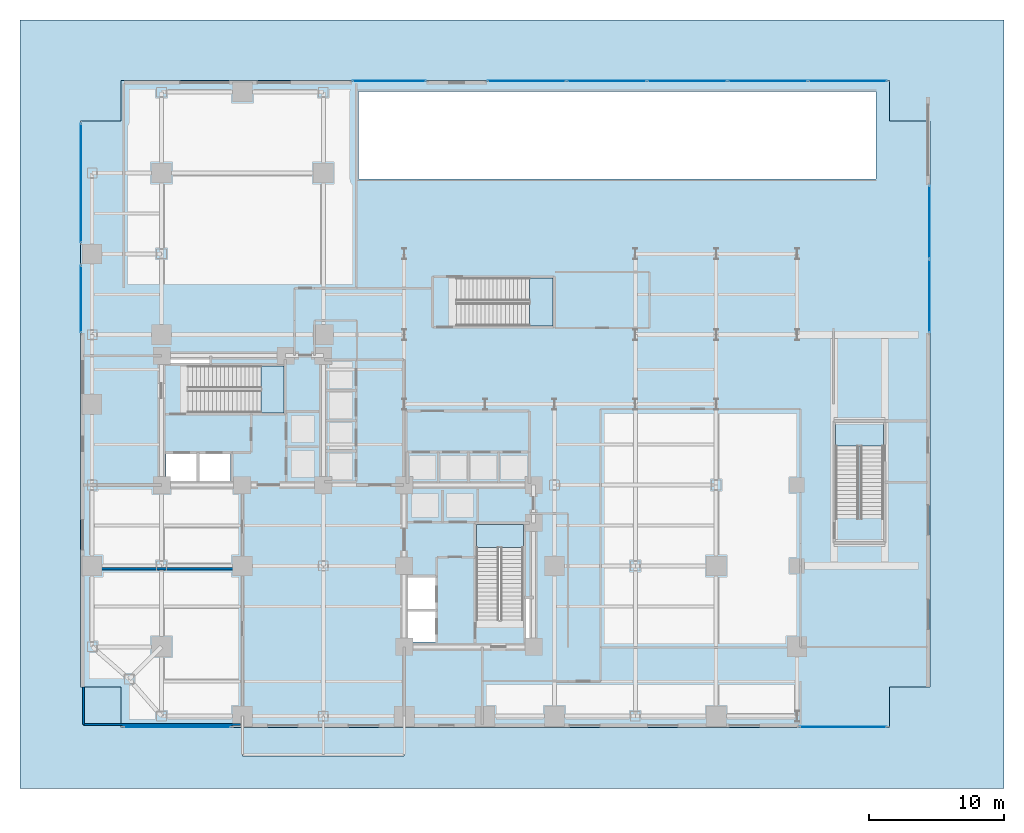
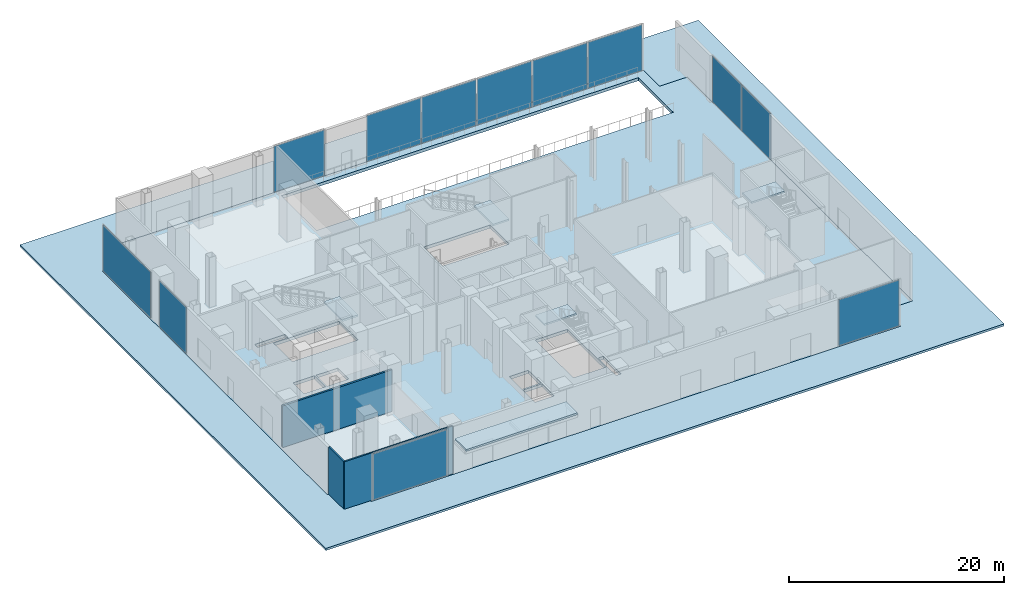
# One storey, part 17 of 27: 12 plates, 7 slabs, 3 walls, 11 elements without a shape of their own.
"""IFC4 building model written with IfcOpenShell, lengths in metres."""

from ifc_helpers import new_model, si_unit, direction, frame, frame_2d, origin, origin_2d, place, context, subcontext, project, spatial, polyline, rectangle, outline, extrude, material, layer, layer_set, type_object, element, aggregate, save


model = new_model("IFC4")

# Units and contexts
model_context = context("Model", 3, precision=1e-05, world=origin(), true_north=direction((0.0, 1.0)))
body_context = subcontext(model_context, "Body", "Model", "MODEL_VIEW")
ifc_project = project(units=[si_unit("LENGTHUNIT", "METRE"), si_unit("AREAUNIT", "SQUARE_METRE"), si_unit("VOLUMEUNIT", "CUBIC_METRE"), si_unit("PLANEANGLEUNIT", "RADIAN"), si_unit("MASSUNIT", "GRAM", prefix="KILO"), si_unit("THERMODYNAMICTEMPERATUREUNIT", "KELVIN"), si_unit("POWERUNIT", "WATT")], contexts=[model_context])

# Site, building, storey
site_placement = place(None, origin())
site = spatial("IfcSite", under=ifc_project, at=site_placement, CompositionType="ELEMENT")
building_placement = place(site_placement, origin())
building = spatial("IfcBuilding", under=site, at=building_placement, Name="Svarakhadi Broadcast Tower", CompositionType="ELEMENT")
storey_placement = place(building_placement, origin())
storey = spatial("IfcBuildingStorey", under=building, at=storey_placement, Name="L00", CompositionType="ELEMENT", Elevation=0.0)

# Curtain wall, plate
ifc_material_1 = material(Name="Anodised Bronze Aluminium AA 6063-T6", Category="aluminium")
ifc_layer_1 = layer(ifc_material_1, 0.25)
ifc_layer_set_1 = layer_set([ifc_layer_1], Name="Anodised Bronze Aluminium AA 6063-T6")
curtain_wall_type = type_object("IfcCurtainWallType", Name="CW_Sys_01", PredefinedType="NOTDEFINED", material=ifc_layer_set_1)
curtain_wall_1_placement = place(storey_placement, origin())
curtain_wall_1 = element("IfcCurtainWall", 1, at=curtain_wall_1_placement, inside=storey, type_object=curtain_wall_type, Name="L00 Podium Glazed Curtain Wall 01", PredefinedType="NOTDEFINED")
ifc_material_2 = material(Name="Double Low-E Laminated Acoustic Glass IGU 36 mm", Category="glass")
ifc_layer_2 = layer(ifc_material_2, 0.0380859375)
ifc_layer_set_2 = layer_set([ifc_layer_2], Name="Double Low-E Laminated Acoustic Glass IGU 36 mm")
plate_type = type_object("IfcPlateType", Name="CW_Sys_01_Pnl", PredefinedType="CURTAIN_PANEL", material=ifc_layer_set_2)
plate_1_placement = place(storey_placement, frame((7.159912109375, 0.0400390625, 0.0849609375), z_axis=(0.0, 0.0, 1.0), x_axis=(-1.0, 0.0, 0.0)))
plate_1 = element("IfcPlate", 2, at=plate_1_placement, type_object=plate_type, Name="CW-01 panel 1.1", PredefinedType="CURTAIN_PANEL", context=body_context, shape_type="SweptSolid", body=[
    extrude(rectangle(XDim=7.949951171875, YDim=0.0380859375, at=origin_2d()), origin(), (0.0, 0.0, 1.0), 5.22998046875),
])
aggregate(curtain_wall_1, [plate_1])

curtain_wall_2_placement = place(storey_placement, origin())
curtain_wall_2 = element("IfcCurtainWall", 3, at=curtain_wall_2_placement, inside=storey, type_object=curtain_wall_type, Name="L00 Podium Glazed Curtain Wall 02", PredefinedType="NOTDEFINED")
plate_2_placement = place(storey_placement, frame((56.574951171875, 0.0400390625, 0.0849609375), z_axis=(0.0, 0.0, 1.0), x_axis=(-1.0, 0.0, 0.0)))
plate_2 = element("IfcPlate", 4, at=plate_2_placement, type_object=plate_type, Name="CW-01 panel 1.1", PredefinedType="CURTAIN_PANEL", context=body_context, shape_type="SweptSolid", body=[
    extrude(rectangle(XDim=6.47998046875, YDim=0.0380859375, at=origin_2d()), origin(), (0.0, 0.0, 1.0), 5.22998046875),
])
aggregate(curtain_wall_2, [plate_2])

# Curtain wall, plates
curtain_wall_3_placement = place(storey_placement, origin())
curtain_wall_3 = element("IfcCurtainWall", 5, at=curtain_wall_3_placement, inside=storey, type_object=curtain_wall_type, Name="L00 Podium Glazed Curtain Wall 03", PredefinedType="NOTDEFINED")
plate_3_placement = place(storey_placement, frame((62.9599609375, 37.518798828125, 0.0849609375), z_axis=(0.0, 0.0, 1.0), x_axis=(0.0, -1.0, 0.0)))
plate_3 = element("IfcPlate", 6, at=plate_3_placement, type_object=plate_type, Name="CW-01 panel 1.1", PredefinedType="CURTAIN_PANEL", context=body_context, shape_type="SweptSolid", body=[
    extrude(rectangle(XDim=5.392578125, YDim=0.0380859375, at=origin_2d()), origin(), (0.0, 0.0, 1.0), 5.22998046875),
])
plate_4_placement = place(storey_placement, frame((62.9599609375, 32.03125, 0.0849609375), z_axis=(0.0, 0.0, 1.0), x_axis=(0.0, -1.0, 0.0)))
plate_4 = element("IfcPlate", 7, at=plate_4_placement, type_object=plate_type, Name="CW-01 panel 2.1", PredefinedType="CURTAIN_PANEL", context=body_context, shape_type="SweptSolid", body=[
    extrude(rectangle(XDim=5.392578125, YDim=0.0380859375, at=origin_2d()), origin(), (0.0, 0.0, 1.0), 5.22998046875),
])
aggregate(curtain_wall_3, [plate_3, plate_4])

# Curtain wall, plate
curtain_wall_4_placement = place(storey_placement, origin())
curtain_wall_4 = element("IfcCurtainWall", 8, at=curtain_wall_4_placement, inside=storey, type_object=curtain_wall_type, Name="L00 Podium Glazed Curtain Wall 04", PredefinedType="NOTDEFINED")
plate_5_placement = place(storey_placement, frame((22.89990234375, 47.9599609375, 0.0849609375), z_axis=(0.0, 0.0, 1.0), x_axis=(1.0, 0.0, 0.0)))
plate_5 = element("IfcPlate", 9, at=plate_5_placement, type_object=plate_type, Name="CW-01 panel 1.1", PredefinedType="CURTAIN_PANEL", context=body_context, shape_type="SweptSolid", body=[
    extrude(rectangle(XDim=5.429931640625, YDim=0.0380859375, at=origin_2d()), origin(), (0.0, 0.0, 1.0), 5.22998046875),
])
aggregate(curtain_wall_4, [plate_5])

# Curtain wall, plates
curtain_wall_5_placement = place(storey_placement, origin())
curtain_wall_5 = element("IfcCurtainWall", 10, at=curtain_wall_5_placement, inside=storey, type_object=curtain_wall_type, Name="L00 Podium Glazed Curtain Wall 05", PredefinedType="NOTDEFINED")
plate_6_placement = place(storey_placement, frame((33.095703125, 47.9599609375, 0.0849609375), z_axis=(0.0, 0.0, 1.0), x_axis=(1.0, 0.0, 0.0)))
plate_6 = element("IfcPlate", 11, at=plate_6_placement, type_object=plate_type, Name="CW-01 panel 1.1", PredefinedType="CURTAIN_PANEL", context=body_context, shape_type="SweptSolid", body=[
    extrude(rectangle(XDim=5.821533203125, YDim=0.0380859375, at=origin_2d()), origin(), (0.0, 0.0, 1.0), 5.22998046875),
])
plate_7_placement = place(storey_placement, frame((39.035888671875, 47.9599609375, 0.0849609375), z_axis=(0.0, 0.0, 1.0), x_axis=(1.0, 0.0, 0.0)))
plate_7 = element("IfcPlate", 12, at=plate_7_placement, type_object=plate_type, Name="CW-01 panel 2.1", PredefinedType="CURTAIN_PANEL", context=body_context, shape_type="SweptSolid", body=[
    extrude(rectangle(XDim=5.868896484375, YDim=0.0380859375, at=origin_2d()), origin(), (0.0, 0.0, 1.0), 5.22998046875),
])
plate_8_placement = place(storey_placement, frame((45.0, 47.9599609375, 0.0849609375), z_axis=(0.0, 0.0, 1.0), x_axis=(1.0, 0.0, 0.0)))
plate_8 = element("IfcPlate", 13, at=plate_8_placement, type_object=plate_type, Name="CW-01 panel 3.1", PredefinedType="CURTAIN_PANEL", context=body_context, shape_type="SweptSolid", body=[
    extrude(rectangle(XDim=5.868896484375, YDim=0.0380859375, at=origin_2d()), origin(), (0.0, 0.0, 1.0), 5.22998046875),
])
plate_9_placement = place(storey_placement, frame((50.964111328125, 47.9599609375, 0.0849609375), z_axis=(0.0, 0.0, 1.0), x_axis=(1.0, 0.0, 0.0)))
plate_9 = element("IfcPlate", 14, at=plate_9_placement, type_object=plate_type, Name="CW-01 panel 4.1", PredefinedType="CURTAIN_PANEL", context=body_context, shape_type="SweptSolid", body=[
    extrude(rectangle(XDim=5.868896484375, YDim=0.0380859375, at=origin_2d()), origin(), (0.0, 0.0, 1.0), 5.22998046875),
])
plate_10_placement = place(storey_placement, frame((56.904296875, 47.9599609375, 0.0849609375), z_axis=(0.0, 0.0, 1.0), x_axis=(1.0, 0.0, 0.0)))
plate_10 = element("IfcPlate", 15, at=plate_10_placement, type_object=plate_type, Name="CW-01 panel 5.1", PredefinedType="CURTAIN_PANEL", context=body_context, shape_type="SweptSolid", body=[
    extrude(rectangle(XDim=5.821533203125, YDim=0.0380859375, at=origin_2d()), origin(), (0.0, 0.0, 1.0), 5.22998046875),
])
aggregate(curtain_wall_5, [plate_6, plate_7, plate_8, plate_9, plate_10])

# Curtain wall, plate
curtain_wall_6_placement = place(storey_placement, origin())
curtain_wall_6 = element("IfcCurtainWall", 16, at=curtain_wall_6_placement, inside=storey, type_object=curtain_wall_type, Name="L00 Podium Glazed Curtain Wall 06 Bay 1", PredefinedType="NOTDEFINED")
plate_11_placement = place(storey_placement, frame((0.0400390625, 31.81005859375, 0.0849609375), z_axis=(0.0, 0.0, 1.0), x_axis=(0.0, 1.0, 0.0)))
plate_11 = element("IfcPlate", 17, at=plate_11_placement, type_object=plate_type, Name="CW-01 panel 1.1", PredefinedType="CURTAIN_PANEL", context=body_context, shape_type="SweptSolid", body=[
    extrude(rectangle(XDim=4.949951171875, YDim=0.0380859375, at=origin_2d()), origin(), (0.0, 0.0, 1.0), 5.22998046875),
])
aggregate(curtain_wall_6, [plate_11])

curtain_wall_7_placement = place(storey_placement, origin())
curtain_wall_7 = element("IfcCurtainWall", 18, at=curtain_wall_7_placement, inside=storey, type_object=curtain_wall_type, Name="L00 Podium Glazed Curtain Wall 06 Bay 2", PredefinedType="NOTDEFINED")
plate_12_placement = place(storey_placement, frame((0.0400390625, 40.4150390625, 0.0849609375), z_axis=(0.0, 0.0, 1.0), x_axis=(0.0, 1.0, 0.0)))
plate_12 = element("IfcPlate", 19, at=plate_12_placement, type_object=plate_type, Name="CW-01 panel 1.1", PredefinedType="CURTAIN_PANEL", context=body_context, shape_type="SweptSolid", body=[
    extrude(rectangle(XDim=8.800048828125, YDim=0.0380859375, at=origin_2d()), origin(), (0.0, 0.0, 1.0), 5.22998046875),
])
aggregate(curtain_wall_7, [plate_12])

# Slabs
ifc_material_3 = material(Name="Steel S355J2 (IS 2062 E350C)", Category="steel")
ifc_layer_3 = layer(ifc_material_3, 0.219970703125)
ifc_layer_set_3 = layer_set([ifc_layer_3], Name="Steel S355J2 (IS 2062 E350C)")
slab_type_1 = type_object("IfcSlabType", Name="Canopy_Slab_CN01", PredefinedType="USERDEFINED", material=ifc_layer_set_3)
slab_1_placement = place(storey_placement, frame((0.0, 0.0, 3.800048828125)))
element("IfcSlab", 20, at=slab_1_placement, inside=storey, type_object=slab_type_1, Name="L00 South Broadcast Arrival Entrance Canopy CN-01", ObjectType="CANOPY", PredefinedType="USERDEFINED", context=body_context, shape_type="SweptSolid", body=[
    extrude(outline(polyline([(12.0, -2.10009765625), (24.0, -2.10009765625), (24.0, 0.0), (12.0, 0.0), (12.0, -2.10009765625)])), origin(), (0.0, 0.0, 1.0), 0.219970703125),
])
ifc_material_4 = material(Name="Concrete C45/55 (IS 456 M55 Marine)", Category="concrete")
ifc_layer_4 = layer(ifc_material_4, 0.35009765625)
ifc_layer_set_4 = layer_set([ifc_layer_4], Name="Concrete C45/55 (IS 456 M55 Marine)")
slab_type_2 = type_object("IfcSlabType", Name="Slab_Floor_350", PredefinedType="FLOOR", material=ifc_layer_set_4)
slab_2_placement = place(storey_placement, frame((0.0, 0.0, -0.35009765625)))
element("IfcSlab", 21, at=slab_2_placement, inside=storey, type_object=slab_type_2, Name="L00 Structural Floor Slab", PredefinedType="FLOOR", context=body_context, shape_type="SweptSolid", body=[
    extrude(outline(polyline([(3.0, 0.0), (60.0, 0.0), (60.0, 3.0), (63.0, 3.0), (63.0, 45.0), (60.0, 45.0), (60.0, 48.0), (3.0, 48.0), (3.0, 45.0), (0.0, 45.0), (0.0, 3.0), (3.0, 3.0), (3.0, 0.0)]), holes=[polyline([(7.97998046875, 23.360107421875), (15.080078125, 23.360107421875), (15.080078125, 26.840087890625), (7.97998046875, 26.840087890625), (7.97998046875, 23.360107421875)]), polyline([(32.840087890625, 7.97998046875), (32.840087890625, 15.080078125), (29.360107421875, 15.080078125), (29.360107421875, 7.97998046875), (32.840087890625, 7.97998046875)]), polyline([(27.89990234375, 29.800048828125), (35.050048828125, 29.800048828125), (35.050048828125, 33.360107421875), (27.89990234375, 33.360107421875), (27.89990234375, 29.800048828125)]), polyline([(6.340087890625, 18.2900390625), (8.610107421875, 18.2900390625), (8.610107421875, 20.330078125), (6.340087890625, 20.330078125), (6.340087890625, 18.2900390625)]), polyline([(8.7900390625, 18.2900390625), (11.1298828125, 18.2900390625), (11.1298828125, 20.330078125), (8.7900390625, 20.330078125), (8.7900390625, 18.2900390625)]), polyline([(24.2900390625, 6.340087890625), (26.330078125, 6.340087890625), (26.330078125, 8.610107421875), (24.2900390625, 8.610107421875), (24.2900390625, 6.340087890625)]), polyline([(24.2900390625, 8.7900390625), (26.330078125, 8.7900390625), (26.330078125, 11.1298828125), (24.2900390625, 11.1298828125), (24.2900390625, 8.7900390625)]), polyline([(6.340087890625, 26.989990234375), (9.610107421875, 26.989990234375), (9.610107421875, 27.530029296875), (6.340087890625, 27.530029296875), (6.340087890625, 26.989990234375)]), polyline([(32.989990234375, 6.340087890625), (33.530029296875, 6.340087890625), (33.530029296875, 9.610107421875), (32.989990234375, 9.610107421875), (32.989990234375, 6.340087890625)]), polyline([(20.60009765625, 40.699951171875), (59.0, 40.699951171875), (59.0, 47.199951171875), (20.60009765625, 47.199951171875), (20.60009765625, 40.699951171875)])]), origin(), (0.0, 0.0, 1.0), 0.35009765625),
])
ifc_material_5 = material(Name="Flamed Konkan Basalt Stone Paving", Category="masonry")
ifc_layer_5 = layer(ifc_material_5, 0.25)
ifc_layer_set_5 = layer_set([ifc_layer_5], Name="Flamed Konkan Basalt Stone Paving")
slab_type_3 = type_object("IfcSlabType", Name="Slab_Grade_Apron", PredefinedType="USERDEFINED", material=ifc_layer_set_5)
slab_3_placement = place(storey_placement, frame((0.0, 0.0, -0.25)))
element("IfcSlab", 22, at=slab_3_placement, inside=storey, type_object=slab_type_3, Name="L00 Waterfront Promenade and Arrival Plaza Paving", ObjectType="PAVING", PredefinedType="USERDEFINED", context=body_context, shape_type="SweptSolid", body=[
    extrude(outline(polyline([(-4.5, -4.5), (68.5, -4.5), (68.5, 52.5), (-4.5, 52.5), (-4.5, -4.5)]), holes=[polyline([(3.0, 0.0), (60.0, 0.0), (60.0, 3.0), (63.0, 3.0), (63.0, 45.0), (60.0, 45.0), (60.0, 48.0), (3.0, 48.0), (3.0, 45.0), (0.0, 45.0), (0.0, 3.0), (3.0, 3.0), (3.0, 0.0)])]), origin(), (0.0, 0.0, 1.0), 0.25),
])

# Stair, slab
ifc_material_6 = material(Name="Concrete C40/50 (IS 456 M50)", Category="concrete")
stair_type_1 = type_object("IfcStairType", Name="Stair_Exit_Core", PredefinedType="HALF_TURN_STAIR", material=ifc_material_6)
stair_1_placement = place(storey_placement, origin())
stair_1 = element("IfcStair", 23, at=stair_1_placement, inside=storey, type_object=stair_type_1, Name="L00 West Core Protected Exit Stair ST-01", PredefinedType="HALF_TURN_STAIR")
ifc_layer_6 = layer(ifc_material_6, 0.199951171875)
ifc_layer_set_6 = layer_set([ifc_layer_6], Name="Concrete C40/50 (IS 456 M50)")
slab_type_4 = type_object("IfcSlabType", Name="Slab_Stair_Land", PredefinedType="LANDING", material=ifc_layer_set_6)
slab_4_placement = place(storey_placement, frame((0.0, 0.0, 2.64990234375)))
slab_4 = element("IfcSlab", 24, at=slab_4_placement, type_object=slab_type_4, Name="ST-01 landing 1", PredefinedType="LANDING", context=body_context, shape_type="SweptSolid", body=[
    extrude(outline(polyline([(13.3798828125, 23.360107421875), (15.080078125, 23.360107421875), (15.080078125, 26.840087890625), (13.3798828125, 26.840087890625), (13.3798828125, 23.360107421875)])), origin(), (0.0, 0.0, 1.0), 0.2001953125),
])
aggregate(stair_1, [slab_4])

stair_2_placement = place(storey_placement, origin())
stair_2 = element("IfcStair", 25, at=stair_2_placement, inside=storey, type_object=stair_type_1, Name="L00 East Core Protected Exit Stair ST-02", PredefinedType="HALF_TURN_STAIR")
slab_5_placement = place(storey_placement, frame((0.0, 0.0, 2.64990234375)))
slab_5 = element("IfcSlab", 26, at=slab_5_placement, type_object=slab_type_4, Name="ST-02 landing 1", PredefinedType="LANDING", context=body_context, shape_type="SweptSolid", body=[
    extrude(outline(polyline([(32.840087890625, 13.3798828125), (32.840087890625, 15.080078125), (29.360107421875, 15.080078125), (29.360107421875, 13.3798828125), (32.840087890625, 13.3798828125)])), origin(), (0.0, 0.0, 1.0), 0.2001953125),
])
aggregate(stair_2, [slab_5])

stair_type_2 = type_object("IfcStairType", Name="Stair_Exit_Pod", PredefinedType="HALF_TURN_STAIR", material=ifc_material_6)
stair_3_placement = place(storey_placement, origin())
stair_3 = element("IfcStair", 27, at=stair_3_placement, inside=storey, type_object=stair_type_2, Name="L00 Podium Concourse Broadcast Exit Stair ST-03", PredefinedType="HALF_TURN_STAIR")
slab_6_placement = place(storey_placement, frame((0.0, 0.0, 2.64990234375)))
slab_6 = element("IfcSlab", 28, at=slab_6_placement, type_object=slab_type_4, Name="ST-03 landing 1", PredefinedType="LANDING", context=body_context, shape_type="SweptSolid", body=[
    extrude(outline(polyline([(33.300048828125, 29.800048828125), (35.050048828125, 29.800048828125), (35.050048828125, 33.360107421875), (33.300048828125, 33.360107421875), (33.300048828125, 29.800048828125)])), origin(), (0.0, 0.0, 1.0), 0.2001953125),
])
aggregate(stair_3, [slab_6])

stair_4_placement = place(storey_placement, origin())
stair_4 = element("IfcStair", 29, at=stair_4_placement, inside=storey, type_object=stair_type_2, Name="L00 Podium East Broadcast Exit Stair ST-04", PredefinedType="HALF_TURN_STAIR")
slab_7_placement = place(storey_placement, frame((0.0, 0.0, 2.64990234375)))
slab_7 = element("IfcSlab", 30, at=slab_7_placement, type_object=slab_type_4, Name="ST-04 landing 1", PredefinedType="LANDING", context=body_context, shape_type="SweptSolid", body=[
    extrude(outline(polyline([(59.56005859375, 20.89990234375), (59.56005859375, 22.64990234375), (56.0, 22.64990234375), (56.0, 20.89990234375), (59.56005859375, 20.89990234375)])), origin(), (0.0, 0.0, 1.0), 0.2001953125),
])
aggregate(stair_4, [slab_7])

# Walls
ifc_layer_7 = layer(ifc_material_6, 0.199951171875)
ifc_layer_set_7 = layer_set([ifc_layer_7], Name="Concrete C40/50 (IS 456 M50)")
wall_type_1 = type_object("IfcWallType", Name="Wall_Fire_200", PredefinedType="SOLIDWALL", material=ifc_layer_set_7)
wall_1_placement = place(storey_placement, frame((0.219970703125, 11.800048828125, 0.0), z_axis=(0.0, 0.0, 1.0), x_axis=(1.0, 0.0, 0.0)))
element("IfcWall", 31, at=wall_1_placement, inside=storey, type_object=wall_type_1, Name="L00 Fire Command and BMS Control Room Wall", PredefinedType="SOLIDWALL", context=body_context, shape_type="SweptSolid", body=[
    extrude(rectangle(XDim=11.780029296875, YDim=0.199951171875, at=frame_2d((5.89013671875, 0.0))), origin(), (0.0, 0.0, 1.0), 4.741943359375),
])
ifc_material_7 = material(Name="Autoclaved Aerated Concrete Blockwork 150 mm", Category="masonry")
ifc_layer_8 = layer(ifc_material_7, 0.14990234375)
ifc_layer_set_8 = layer_set([ifc_layer_8], Name="Autoclaved Aerated Concrete Blockwork 150 mm")
wall_type_2 = type_object("IfcWallType", Name="Wall_Part_150", PredefinedType="PARTITIONING", material=ifc_layer_set_8)
wall_2_placement = place(storey_placement, frame((0.219970703125, 0.219970703125, 0.0), z_axis=(0.0, 0.0, 1.0), x_axis=(1.0, 0.0, 0.0)))
element("IfcWall", 32, at=wall_2_placement, inside=storey, type_object=wall_type_2, Name="L00 Accredited Press Reception Lounge Wall", PredefinedType="PARTITIONING", context=body_context, shape_type="SweptSolid", body=[
    extrude(rectangle(XDim=11.635009765625, YDim=0.14990234375, at=frame_2d((5.8173828125, 0.0))), origin(), (0.0, 0.0, 1.0), 5.39990234375),
])
wall_3_placement = place(storey_placement, frame((0.219970703125, 0.219970703125, 0.0), z_axis=(0.0, 0.0, 1.0), x_axis=(0.0, 1.0, 0.0)))
element("IfcWall", 33, at=wall_3_placement, inside=storey, type_object=wall_type_2, Name="L00 Accredited Press Reception Lounge Wall", PredefinedType="PARTITIONING", context=body_context, shape_type="SweptSolid", body=[
    extrude(rectangle(XDim=2.780029296875, YDim=0.14990234375, at=frame_2d((1.39013671875, 0.0))), origin(), (0.0, 0.0, 1.0), 5.39990234375),
])

save(model, "model.ifc")
